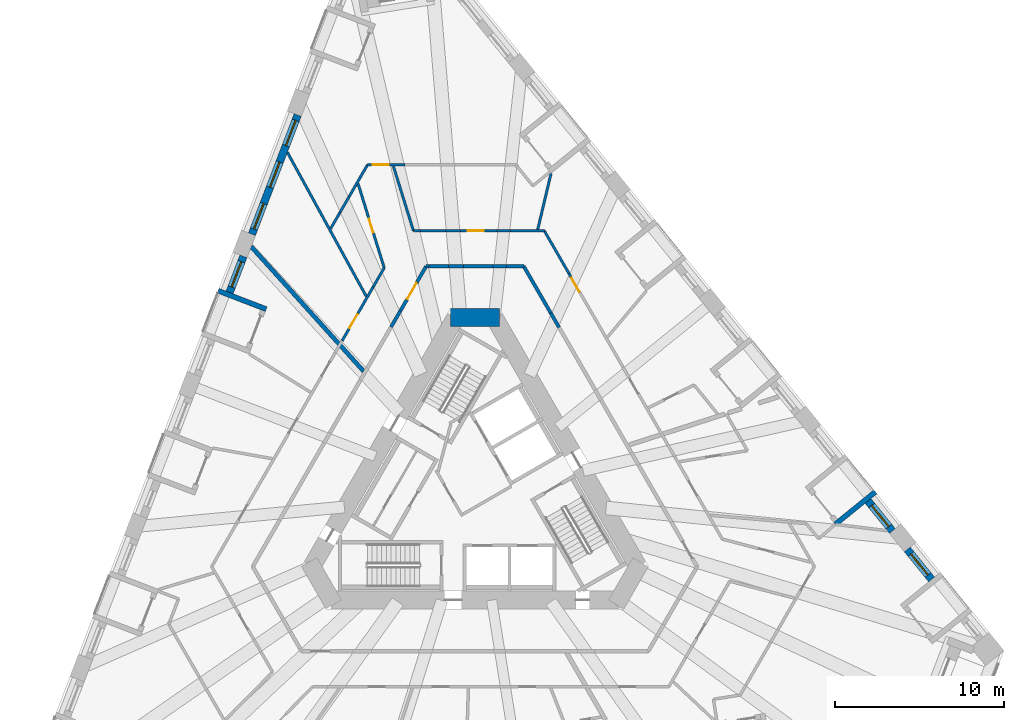
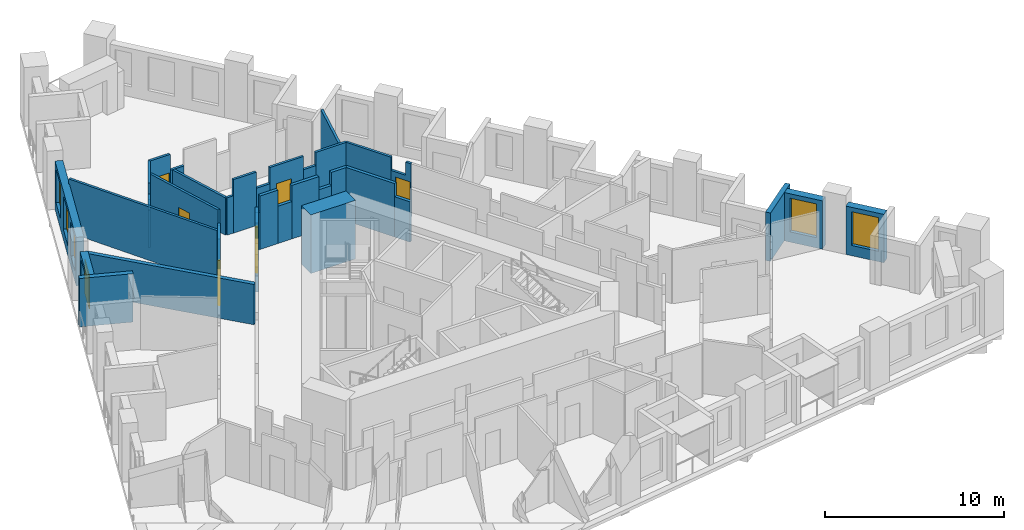
# One storey, part 8 of 14: 38 walls, 6 doors, 6 windows, 12 openings.
"""IFC4 building model written with IfcOpenShell, lengths in metres."""

from ifc_helpers import new_model, si_unit, direction, frame, frame_2d, origin, place, context, subcontext, project, spatial, polyline, rectangle, outline, extrude, material, layer, layer_set, type_object, element, fill, save


model = new_model("IFC4")

# Units and contexts
model_context = context("Model", 3, precision=1e-05, world=origin(), true_north=direction((0.0, 1.0)))
body_context = subcontext(model_context, "Body", "Model", "MODEL_VIEW")
ifc_project = project(units=[si_unit("LENGTHUNIT", "METRE"), si_unit("AREAUNIT", "SQUARE_METRE"), si_unit("VOLUMEUNIT", "CUBIC_METRE"), si_unit("PLANEANGLEUNIT", "RADIAN"), si_unit("MASSUNIT", "GRAM", prefix="KILO")], contexts=[model_context])

# Site, building, storey
site_placement = place(None, origin())
site = spatial("IfcSite", under=ifc_project, at=site_placement, CompositionType="ELEMENT")
building_placement = place(site_placement, origin())
building = spatial("IfcBuilding", under=site, at=building_placement, Name="Tramontana Tower", CompositionType="ELEMENT")
storey_placement = place(building_placement, frame((0.0, 0.0, 75.199951171875)))
storey = spatial("IfcBuildingStorey", under=building, at=storey_placement, Name="L16", CompositionType="ELEMENT", Elevation=75.199951171875)

# Walls
ifc_material_1 = material(Name="Concrete 70 MPa", Category="concrete")
ifc_layer_1 = layer(ifc_material_1, 1.050048828125)
ifc_layer_set_1 = layer_set([ifc_layer_1], Name="Core wall 1050 70 MPa")
wall_type_1 = type_object("IfcWallType", Name="Core wall 1050 70 MPa", PredefinedType="SHEAR", material=ifc_layer_set_1)
wall_1_placement = place(storey_placement, frame((1.443359375, 10.47509765625, 0.0), z_axis=(0.0, 0.0, 1.0), x_axis=(-1.0, 0.0, 0.0)))
element("IfcWall", 1, at=wall_1_placement, inside=storey, type_object=wall_type_1, Name="Core wall C0 L16", PredefinedType="SHEAR", context=body_context, shape_type="SweptSolid", body=[
    extrude(rectangle(XDim=2.88671875, YDim=1.050048828125, at=frame_2d((1.443359375, 0.0))), origin(), (0.0, 0.0, 1.0), 4.0),
])
ifc_material_2 = material(Name="Blockwork", Category="masonry")
ifc_layer_2 = layer(ifc_material_2, 0.199951171875)
ifc_layer_set_2 = layer_set([ifc_layer_2], Name="ENTRY WALL 200")
wall_type_2 = type_object("IfcWallType", Name="ENTRY WALL 200", PredefinedType="SOLIDWALL", material=ifc_layer_set_2)
wall_2_placement = place(storey_placement, frame((2.88671875, 13.5, 0.0), z_axis=(0.0, 0.0, 1.0), x_axis=(0.50003154259, -0.866007191896, 0.0)))
element("IfcWall", 2, at=wall_2_placement, inside=storey, type_object=wall_type_2, Name="Wall v12-ew0-0", PredefinedType="SOLIDWALL", context=body_context, shape_type="SweptSolid", body=[
    extrude(rectangle(XDim=3.190673828125, YDim=0.199951171875, at=frame_2d((1.59521484375, 0.0))), origin(), (0.0, 0.0, 1.0), 3.650146484375),
])
wall_3_placement = place(storey_placement, frame((4.482177734375, 10.73681640625, 0.0), z_axis=(0.0, 0.0, 1.0), x_axis=(0.499966601515, -0.86604468555, 0.0)))
element("IfcWall", 3, at=wall_3_placement, inside=storey, type_object=wall_type_2, Name="Wall v12-ew0-1", PredefinedType="SOLIDWALL", context=body_context, shape_type="SweptSolid", body=[
    extrude(rectangle(XDim=0.98095703125, YDim=0.199951171875, at=frame_2d((0.490478515625, 0.0))), origin(), (0.0, 0.0, 1.0), 2.75),
])
wall_4_placement = place(storey_placement, frame((-4.95751953125, 9.913330078125, 0.0), z_axis=(0.0, 0.0, 1.0), x_axis=(0.499951133605, 0.866053614973, 0.0)))
element("IfcWall", 4, at=wall_4_placement, inside=storey, type_object=wall_type_2, Name="Wall v12-ew4-7", PredefinedType="SOLIDWALL", context=body_context, shape_type="SweptSolid", body=[
    extrude(rectangle(XDim=1.10888671875, YDim=0.199951171875, at=frame_2d((0.554443359375, 0.0))), origin(), (0.0, 0.0, 1.0), 2.550048828125),
])

# Wall, opening, door
wall_5_placement = place(storey_placement, frame((-4.403076171875, 10.873779296875, 0.0), z_axis=(0.0, 0.0, 1.0), x_axis=(0.500059920742, 0.865990805764, 0.0)))
wall_5 = element("IfcWall", 5, at=wall_5_placement, inside=storey, type_object=wall_type_2, Name="Wall v12-ew4-8", PredefinedType="SOLIDWALL", context=body_context, shape_type="SweptSolid", body=[
    extrude(rectangle(XDim=1.962158203125, YDim=0.199951171875, at=frame_2d((0.98095703125, 0.0))), origin(), (0.0, 0.0, 1.0), 3.650146484375),
])
opening_1_placement = place(wall_5_placement, frame((0.789306640625, 0.0, 0.0)))
opening_1 = element("IfcOpeningElement", 6, at=opening_1_placement, cuts=wall_5, Name="Opening B1C-24", PredefinedType="OPENING", context=body_context, shape_type="SweptSolid", body=[
    extrude(rectangle(XDim=1.10009765625, YDim=2.39990234375, at=frame_2d((0.550048828125, 1.199951171875))), frame((0.0, 0.10986328125, 0.0), z_axis=(0.0, -1.0, 0.0), x_axis=(1.0, 0.0, 0.0)), (0.0, 0.0, 1.0), 0.219970703125),
])
ifc_material_3 = material(Name="Painted timber", Category="wood")
door_type_1 = type_object("IfcDoorType", Name="DOOR ENTRY 1100", OperationType="SINGLE_SWING_LEFT", PredefinedType="DOOR", material=ifc_material_3)
door_1_placement = place(opening_1_placement, origin())
door_1 = element("IfcDoor", 7, at=door_1_placement, inside=storey, type_object=door_type_1, Name="Door B1C-24", OperationType="SINGLE_SWING_RIGHT", OverallHeight=2.39990234375, OverallWidth=1.10009765625, PredefinedType="DOOR", context=body_context, shape_type="SweptSolid", body=[
    extrude(rectangle(XDim=1.10009765625, YDim=2.39990234375, at=frame_2d((0.550048828125, 1.199951171875))), frame((0.0, 0.02490234375, 0.0), z_axis=(0.0, -1.0, 0.0), x_axis=(1.0, 0.0, 0.0)), (0.0, 0.0, 1.0), 0.050048828125),
])
fill(opening_1, door_1)

# Walls
wall_6_placement = place(storey_placement, frame((-3.421875, 12.572998046875, 0.0), z_axis=(0.0, 0.0, 1.0), x_axis=(0.49996596245, 0.866045054481, 0.0)))
element("IfcWall", 8, at=wall_6_placement, inside=storey, type_object=wall_type_2, Name="Wall v12-ew4-9", PredefinedType="SOLIDWALL", context=body_context, shape_type="SweptSolid", body=[
    extrude(rectangle(XDim=1.0703125, YDim=0.199951171875, at=frame_2d((0.53515625, 0.0))), origin(), (0.0, 0.0, 1.0), 2.550048828125),
])
wall_7_placement = place(storey_placement, frame((-2.88671875, 13.5, 0.0), z_axis=(0.0, 0.0, 1.0), x_axis=(1.0, 0.0, 0.0)))
element("IfcWall", 9, at=wall_7_placement, inside=storey, type_object=wall_type_2, Name="Wall v12-ew5-0", PredefinedType="SOLIDWALL", context=body_context, shape_type="SweptSolid", body=[
    extrude(rectangle(XDim=0.171142578125, YDim=0.199951171875, at=frame_2d((0.08544921875, 0.0))), origin(), (0.0, 0.0, 1.0), 2.550048828125),
])
wall_8_placement = place(storey_placement, frame((-2.715576171875, 13.5, 0.0), z_axis=(0.0, 0.0, 1.0), x_axis=(1.0, 0.0, 0.0)))
element("IfcWall", 10, at=wall_8_placement, inside=storey, type_object=wall_type_2, Name="Wall v12-ew5-1", PredefinedType="SOLIDWALL", context=body_context, shape_type="SweptSolid", body=[
    extrude(rectangle(XDim=1.141357421875, YDim=0.199951171875, at=frame_2d((0.57080078125, 0.0))), origin(), (0.0, 0.0, 1.0), 3.650146484375),
])
wall_9_placement = place(storey_placement, frame((-1.57421875, 13.5, 0.0), z_axis=(0.0, 0.0, 1.0), x_axis=(1.0, 0.0, 0.0)))
element("IfcWall", 11, at=wall_9_placement, inside=storey, type_object=wall_type_2, Name="Wall v12-ew5-2", PredefinedType="SOLIDWALL", context=body_context, shape_type="SweptSolid", body=[
    extrude(rectangle(XDim=0.903076171875, YDim=0.199951171875, at=frame_2d((0.45166015625, 0.0))), origin(), (0.0, 0.0, 1.0), 2.550048828125),
])
wall_10_placement = place(storey_placement, frame((-0.671142578125, 13.5, 0.0), z_axis=(0.0, 0.0, 1.0), x_axis=(1.0, 0.0, 0.0)))
element("IfcWall", 12, at=wall_10_placement, inside=storey, type_object=wall_type_2, Name="Wall v12-ew5-3", PredefinedType="SOLIDWALL", context=body_context, shape_type="SweptSolid", body=[
    extrude(rectangle(XDim=1.745361328125, YDim=0.199951171875, at=frame_2d((0.87255859375, 0.0))), origin(), (0.0, 0.0, 1.0), 3.650146484375),
])
wall_11_placement = place(storey_placement, frame((1.07421875, 13.5, 0.0), z_axis=(0.0, 0.0, 1.0), x_axis=(1.0, 0.0, 0.0)))
element("IfcWall", 13, at=wall_11_placement, inside=storey, type_object=wall_type_2, Name="Wall v12-ew5-4", PredefinedType="SOLIDWALL", context=body_context, shape_type="SweptSolid", body=[
    extrude(rectangle(XDim=0.804931640625, YDim=0.199951171875, at=frame_2d((0.40234375, 0.0))), origin(), (0.0, 0.0, 1.0), 2.75),
])
wall_12_placement = place(storey_placement, frame((1.879150390625, 13.5, 0.0), z_axis=(0.0, 0.0, 1.0), x_axis=(1.0, 0.0, 0.0)))
element("IfcWall", 14, at=wall_12_placement, inside=storey, type_object=wall_type_2, Name="Wall v12-ew5-5", PredefinedType="SOLIDWALL", context=body_context, shape_type="SweptSolid", body=[
    extrude(rectangle(XDim=1.007568359375, YDim=0.199951171875, at=frame_2d((0.50390625, 0.0))), origin(), (0.0, 0.0, 1.0), 3.650146484375),
])

# Wall, openings, windows
ifc_material_4 = material(Name="Precast concrete 60 MPa", Category="concrete")
ifc_layer_3 = layer(ifc_material_4, 0.449951171875)
ifc_layer_set_3 = layer_set([ifc_layer_3], Name="Precast concrete 60 MPa, 450 mm")
wall_type_3 = type_object("IfcWallType", Name="EW1 Stone-faced precast wall 450", PredefinedType="SOLIDWALL", material=ifc_layer_set_3)
wall_13_placement = place(storey_placement, frame((-10.47802734375, 22.443603515625, 0.0), z_axis=(0.0, 0.0, 1.0), x_axis=(-0.358339674384, -0.933591279823, 0.0)))
wall_13 = element("IfcWall", 15, at=wall_13_placement, inside=storey, type_object=wall_type_3, Name="External wall L16 face 0 bay 2", PredefinedType="SOLIDWALL", context=body_context, shape_type="SweptSolid", body=[
    extrude(rectangle(XDim=7.548828125, YDim=0.449951171875, at=frame_2d((3.7744140625, 0.0))), origin(), (0.0, 0.0, 1.0), 3.300048828125),
])
opening_2_placement = place(wall_13_placement, frame((0.341552734375, 0.0, 0.699951171875)))
opening_2 = element("IfcOpeningElement", 16, at=opening_2_placement, cuts=wall_13, Name="Opening M1", PredefinedType="OPENING", context=body_context, shape_type="SweptSolid", body=[
    extrude(rectangle(XDim=1.60009765625, YDim=2.300048828125, at=frame_2d((0.800048828125, 1.14990234375))), frame((0.0, 0.23486328125, 0.0), z_axis=(0.0, -1.0, 0.0), x_axis=(1.0, 0.0, 0.0)), (0.0, 0.0, 1.0), 0.469970703125),
])
opening_3_placement = place(wall_13_placement, frame((2.974365234375, 0.0, 0.699951171875)))
opening_3 = element("IfcOpeningElement", 17, at=opening_3_placement, cuts=wall_13, Name="Opening M1", PredefinedType="OPENING", context=body_context, shape_type="SweptSolid", body=[
    extrude(rectangle(XDim=1.60009765625, YDim=2.300048828125, at=frame_2d((0.800048828125, 1.14990234375))), frame((0.0, 0.23486328125, 0.0), z_axis=(0.0, -1.0, 0.0), x_axis=(1.0, 0.0, 0.0)), (0.0, 0.0, 1.0), 0.469970703125),
])
opening_4_placement = place(wall_13_placement, frame((5.607421875, 0.0, 0.699951171875)))
opening_4 = element("IfcOpeningElement", 18, at=opening_4_placement, cuts=wall_13, Name="Opening M1", PredefinedType="OPENING", context=body_context, shape_type="SweptSolid", body=[
    extrude(rectangle(XDim=1.60009765625, YDim=2.300048828125, at=frame_2d((0.800048828125, 1.14990234375))), frame((0.0, 0.23486328125, 0.0), z_axis=(0.0, -1.0, 0.0), x_axis=(1.0, 0.0, 0.0)), (0.0, 0.0, 1.0), 0.469970703125),
])
ifc_material_5 = material(Name="Aluminum frame, double glazing unit", Category="aluminium")
window_type = type_object("IfcWindowType", Name="M1 Window 1.6 x 2.3", PartitioningType="SINGLE_PANEL", PredefinedType="WINDOW", material=ifc_material_5)
window_1_placement = place(opening_2_placement, origin())
window_1 = element("IfcWindow", 19, at=window_1_placement, inside=storey, type_object=window_type, Name="Window M1 L16 face 0 module 4", OverallHeight=2.300048828125, OverallWidth=1.60009765625, PartitioningType="SINGLE_PANEL", PredefinedType="WINDOW", context=body_context, shape_type="SweptSolid", body=[
    extrude(rectangle(XDim=1.60009765625, YDim=2.300048828125, at=frame_2d((0.800048828125, 1.14990234375))), frame((0.0, 0.030029296875, 0.0), z_axis=(0.0, -1.0, 0.0), x_axis=(1.0, 0.0, 0.0)), (0.0, 0.0, 1.0), 0.06005859375),
])
fill(opening_2, window_1)
window_2_placement = place(opening_3_placement, origin())
window_2 = element("IfcWindow", 20, at=window_2_placement, inside=storey, type_object=window_type, Name="Window M1 L16 face 0 module 5", OverallHeight=2.300048828125, OverallWidth=1.60009765625, PartitioningType="SINGLE_PANEL", PredefinedType="WINDOW", context=body_context, shape_type="SweptSolid", body=[
    extrude(rectangle(XDim=1.60009765625, YDim=2.300048828125, at=frame_2d((0.800048828125, 1.14990234375))), frame((0.0, 0.030029296875, 0.0), z_axis=(0.0, -1.0, 0.0), x_axis=(1.0, 0.0, 0.0)), (0.0, 0.0, 1.0), 0.06005859375),
])
fill(opening_3, window_2)
window_3_placement = place(opening_4_placement, origin())
window_3 = element("IfcWindow", 21, at=window_3_placement, inside=storey, type_object=window_type, Name="Window M1 L16 face 0 module 6", OverallHeight=2.300048828125, OverallWidth=1.60009765625, PartitioningType="SINGLE_PANEL", PredefinedType="WINDOW", context=body_context, shape_type="SweptSolid", body=[
    extrude(rectangle(XDim=1.60009765625, YDim=2.300048828125, at=frame_2d((0.800048828125, 1.14990234375))), frame((0.0, 0.030029296875, 0.0), z_axis=(0.0, -1.0, 0.0), x_axis=(1.0, 0.0, 0.0)), (0.0, 0.0, 1.0), 0.06005859375),
])
fill(opening_4, window_3)

# Wall, opening, window
wall_14_placement = place(storey_placement, frame((-13.684814453125, 14.0888671875, 0.0), z_axis=(0.0, 0.0, 1.0), x_axis=(-0.35844875217, -0.933549405264, 0.0)))
wall_14 = element("IfcWall", 22, at=wall_14_placement, inside=storey, type_object=wall_type_3, Name="External wall L16 face 0 bay 3", PredefinedType="SOLIDWALL", context=body_context, shape_type="SweptSolid", body=[
    extrude(rectangle(XDim=2.282958984375, YDim=0.449951171875, at=frame_2d((1.1416015625, 0.0))), origin(), (0.0, 0.0, 1.0), 3.300048828125),
])
opening_5_placement = place(wall_14_placement, frame((0.341552734375, 0.0, 0.699951171875)))
opening_5 = element("IfcOpeningElement", 23, at=opening_5_placement, cuts=wall_14, Name="Opening M1", PredefinedType="OPENING", context=body_context, shape_type="SweptSolid", body=[
    extrude(rectangle(XDim=1.60009765625, YDim=2.300048828125, at=frame_2d((0.800048828125, 1.14990234375))), frame((0.0, 0.23486328125, 0.0), z_axis=(0.0, -1.0, 0.0), x_axis=(1.0, 0.0, 0.0)), (0.0, 0.0, 1.0), 0.469970703125),
])
window_4_placement = place(opening_5_placement, origin())
window_4 = element("IfcWindow", 24, at=window_4_placement, inside=storey, type_object=window_type, Name="Window M1 L16 face 0 module 7", OverallHeight=2.300048828125, OverallWidth=1.60009765625, PartitioningType="SINGLE_PANEL", PredefinedType="WINDOW", context=body_context, shape_type="SweptSolid", body=[
    extrude(rectangle(XDim=1.60009765625, YDim=2.300048828125, at=frame_2d((0.800048828125, 1.14990234375))), frame((0.0, 0.030029296875, 0.0), z_axis=(0.0, -1.0, 0.0), x_axis=(1.0, 0.0, 0.0)), (0.0, 0.0, 1.0), 0.06005859375),
])
fill(opening_5, window_4)

wall_15_placement = place(storey_placement, frame((26.993408203125, -5.009765625, 0.0), z_axis=(0.0, 0.0, 1.0), x_axis=(-0.629339730135, 0.777130300576, 0.0)))
wall_15 = element("IfcWall", 25, at=wall_15_placement, inside=storey, type_object=wall_type_3, Name="External wall L16 face 2 bay 1", PredefinedType="SOLIDWALL", context=body_context, shape_type="SweptSolid", body=[
    extrude(rectangle(XDim=2.282958984375, YDim=0.449951171875, at=frame_2d((1.1416015625, 0.0))), origin(), (0.0, 0.0, 1.0), 3.300048828125),
])
opening_6_placement = place(wall_15_placement, frame((0.341552734375, 0.0, 0.699951171875)))
opening_6 = element("IfcOpeningElement", 26, at=opening_6_placement, cuts=wall_15, Name="Opening M1", PredefinedType="OPENING", context=body_context, shape_type="SweptSolid", body=[
    extrude(rectangle(XDim=1.60009765625, YDim=2.300048828125, at=frame_2d((0.800048828125, 1.14990234375))), frame((0.0, 0.23486328125, 0.0), z_axis=(0.0, -1.0, 0.0), x_axis=(1.0, 0.0, 0.0)), (0.0, 0.0, 1.0), 0.469970703125),
])
window_5_placement = place(opening_6_placement, origin())
window_5 = element("IfcWindow", 27, at=window_5_placement, inside=storey, type_object=window_type, Name="Window M1 L16 face 2 module 3", OverallHeight=2.300048828125, OverallWidth=1.60009765625, PartitioningType="SINGLE_PANEL", PredefinedType="WINDOW", context=body_context, shape_type="SweptSolid", body=[
    extrude(rectangle(XDim=1.60009765625, YDim=2.300048828125, at=frame_2d((0.800048828125, 1.14990234375))), frame((0.0, 0.030029296875, 0.0), z_axis=(0.0, -1.0, 0.0), x_axis=(1.0, 0.0, 0.0)), (0.0, 0.0, 1.0), 0.06005859375),
])
fill(opening_6, window_5)

wall_16_placement = place(storey_placement, frame((24.675537109375, -2.147705078125, 0.0), z_axis=(0.0, 0.0, 1.0), x_axis=(-0.629287431131, 0.777172650716, 0.0)))
wall_16 = element("IfcWall", 28, at=wall_16_placement, inside=storey, type_object=wall_type_3, Name="External wall L16 face 2 bay 2", PredefinedType="SOLIDWALL", context=body_context, shape_type="SweptSolid", body=[
    extrude(rectangle(XDim=2.283203125, YDim=0.449951171875, at=frame_2d((1.1416015625, 0.0))), origin(), (0.0, 0.0, 1.0), 3.300048828125),
])
opening_7_placement = place(wall_16_placement, frame((0.341552734375, 0.0, 0.699951171875)))
opening_7 = element("IfcOpeningElement", 29, at=opening_7_placement, cuts=wall_16, Name="Opening M1", PredefinedType="OPENING", context=body_context, shape_type="SweptSolid", body=[
    extrude(rectangle(XDim=1.60009765625, YDim=2.300048828125, at=frame_2d((0.800048828125, 1.14990234375))), frame((0.0, 0.23486328125, 0.0), z_axis=(0.0, -1.0, 0.0), x_axis=(1.0, 0.0, 0.0)), (0.0, 0.0, 1.0), 0.469970703125),
])
window_6_placement = place(opening_7_placement, origin())
window_6 = element("IfcWindow", 30, at=window_6_placement, inside=storey, type_object=window_type, Name="Window M1 L16 face 2 module 4", OverallHeight=2.300048828125, OverallWidth=1.60009765625, PartitioningType="SINGLE_PANEL", PredefinedType="WINDOW", context=body_context, shape_type="SweptSolid", body=[
    extrude(rectangle(XDim=1.60009765625, YDim=2.300048828125, at=frame_2d((0.800048828125, 1.14990234375))), frame((0.0, 0.030029296875, 0.0), z_axis=(0.0, -1.0, 0.0), x_axis=(1.0, 0.0, 0.0)), (0.0, 0.0, 1.0), 0.06005859375),
])
fill(opening_7, window_6)

# Walls
ifc_material_6 = material(Name="Precast concrete 60 MPa", Category="concrete")
ifc_layer_4 = layer(ifc_material_6, 0.300048828125)
ifc_layer_set_4 = layer_set([ifc_layer_4], Name="LW1 Stone-faced loggia wall 300")
wall_type_4 = type_object("IfcWallType", Name="LW1 Stone-faced loggia wall 300", PredefinedType="SOLIDWALL", material=ifc_layer_set_4)
wall_17_placement = place(storey_placement, frame((-15.18701171875, 12.0595703125, 0.0), z_axis=(0.0, 0.0, 1.0), x_axis=(0.933580593625, -0.358367514161, 0.0)))
element("IfcWall", 31, at=wall_17_placement, inside=storey, type_object=wall_type_4, Name="Loggia return L16 G1S0.7a", PredefinedType="SOLIDWALL", context=body_context, shape_type="SweptSolid", body=[
    extrude(rectangle(XDim=3.050048828125, YDim=0.300048828125, at=frame_2d((1.52490234375, 0.0))), origin(), (0.0, 0.0, 1.0), 3.300048828125),
])
wall_18_placement = place(storey_placement, frame((23.6689453125, 0.16796875, 0.0), z_axis=(0.0, 0.0, 1.0), x_axis=(-0.777121820661, -0.629350201281, 0.0)))
element("IfcWall", 32, at=wall_18_placement, inside=storey, type_object=wall_type_4, Name="Loggia return L16 G1S2.4a", PredefinedType="SOLIDWALL", context=body_context, shape_type="SweptSolid", body=[
    extrude(rectangle(XDim=3.0498046875, YDim=0.300048828125, at=frame_2d((1.52490234375, 0.0))), origin(), (0.0, 0.0, 1.0), 3.300048828125),
])

# Wall, opening, door
ifc_material_7 = material(Name="Gypsum board partition")
ifc_layer_5 = layer(ifc_material_7, 0.14990234375)
ifc_layer_set_5 = layer_set([ifc_layer_5], Name="PARTITION 150")
wall_type_5 = type_object("IfcWallType", Name="PARTITION 150", PredefinedType="PARTITIONING", material=ifc_layer_set_5)
wall_19_placement = place(storey_placement, frame((-7.85107421875, 9.1015625, 0.0), z_axis=(0.0, 0.0, 1.0), x_axis=(0.500002145574, 0.866024165033, 0.0)))
wall_19 = element("IfcWall", 33, at=wall_19_placement, inside=storey, type_object=wall_type_5, Name="Wall v12-pw03-6", PredefinedType="PARTITIONING", context=body_context, shape_type="SweptSolid", body=[
    extrude(rectangle(XDim=3.67724609375, YDim=0.14990234375, at=frame_2d((1.838623046875, 0.0))), origin(), (0.0, 0.0, 1.0), 3.650146484375),
])
opening_8_placement = place(wall_19_placement, frame((0.85595703125, 0.0, 0.0)))
opening_8 = element("IfcOpeningElement", 34, at=opening_8_placement, cuts=wall_19, Name="Opening B1C-06", PredefinedType="OPENING", context=body_context, shape_type="SweptSolid", body=[
    extrude(rectangle(XDim=0.949951171875, YDim=2.39990234375, at=frame_2d((0.47509765625, 1.199951171875))), frame((0.0, 0.0849609375, 0.0), z_axis=(0.0, -1.0, 0.0), x_axis=(1.0, 0.0, 0.0)), (0.0, 0.0, 1.0), 0.169921875),
])
ifc_material_8 = material(Name="Painted timber", Category="wood")
door_type_2 = type_object("IfcDoorType", Name="DOOR ROOM 950", OperationType="SINGLE_SWING_LEFT", PredefinedType="DOOR", material=ifc_material_8)
door_2_placement = place(opening_8_placement, origin())
door_2 = element("IfcDoor", 35, at=door_2_placement, inside=storey, type_object=door_type_2, Name="Door B1C-06", OperationType="SINGLE_SWING_RIGHT", OverallHeight=2.39990234375, OverallWidth=0.949951171875, PredefinedType="DOOR", context=body_context, shape_type="SweptSolid", body=[
    extrude(rectangle(XDim=0.949951171875, YDim=2.39990234375, at=frame_2d((0.47509765625, 1.199951171875))), frame((0.0, 0.02490234375, 0.0), z_axis=(0.0, -1.0, 0.0), x_axis=(1.0, 0.0, 0.0)), (0.0, 0.0, 1.0), 0.050048828125),
])
fill(opening_8, door_2)

# Walls
wall_20_placement = place(storey_placement, frame((-6.012451171875, 12.2861328125, 0.0), z_axis=(0.0, 0.0, 1.0), x_axis=(0.500096187746, 0.86596986264, 0.0)))
element("IfcWall", 36, at=wall_20_placement, inside=storey, type_object=wall_type_5, Name="Wall v12-pw03-7", PredefinedType="PARTITIONING", context=body_context, shape_type="SweptSolid", body=[
    extrude(rectangle(XDim=1.300537109375, YDim=0.14990234375, at=frame_2d((0.650390625, 0.0))), origin(), (0.0, 0.0, 1.0), 2.550048828125),
])
wall_21_placement = place(storey_placement, frame((-8.53076171875, 15.724365234375, 0.0), z_axis=(0.0, 0.0, 1.0), x_axis=(0.499993928037, 0.866028909405, 0.0)))
element("IfcWall", 37, at=wall_21_placement, inside=storey, type_object=wall_type_5, Name="Wall v12-pw14-0", PredefinedType="PARTITIONING", context=body_context, shape_type="SweptSolid", body=[
    extrude(rectangle(XDim=1.08984375, YDim=0.14990234375, at=frame_2d((0.544921875, 0.0))), origin(), (0.0, 0.0, 1.0), 3.650146484375),
])
wall_22_placement = place(storey_placement, frame((-7.98583984375, 16.668212890625, 0.0), z_axis=(0.0, 0.0, 1.0), x_axis=(0.500107854436, 0.865963125042, 0.0)))
element("IfcWall", 38, at=wall_22_placement, inside=storey, type_object=wall_type_5, Name="Wall v12-pw14-1", PredefinedType="PARTITIONING", context=body_context, shape_type="SweptSolid", body=[
    extrude(rectangle(XDim=1.078369140625, YDim=0.14990234375, at=frame_2d((0.5390625, 0.0))), origin(), (0.0, 0.0, 1.0), 2.550048828125),
])
wall_23_placement = place(storey_placement, frame((-7.446533203125, 17.60205078125, 0.0), z_axis=(0.0, 0.0, 1.0), x_axis=(0.499973180286, 0.8660408876, 0.0)))
element("IfcWall", 39, at=wall_23_placement, inside=storey, type_object=wall_type_5, Name="Wall v12-pw14-2", PredefinedType="PARTITIONING", context=body_context, shape_type="SweptSolid", body=[
    extrude(rectangle(XDim=2.19140625, YDim=0.14990234375, at=frame_2d((1.095703125, 0.0))), origin(), (0.0, 0.0, 1.0), 3.650146484375),
])
wall_24_placement = place(storey_placement, frame((-6.423828125, 11.723388671875, 0.0), z_axis=(0.0, 0.0, 1.0), x_axis=(-0.48054737778, 0.876968766666, 0.0)))
element("IfcWall", 40, at=wall_24_placement, inside=storey, type_object=wall_type_5, Name="Wall v12-pw17", PredefinedType="PARTITIONING", context=body_context, shape_type="SweptSolid", body=[
    extrude(rectangle(XDim=9.70166015625, YDim=0.14990234375, at=frame_2d((4.850830078125, 0.0))), origin(), (0.0, 0.0, 1.0), 3.650146484375),
])

# Wall, opening, door
wall_25_placement = place(storey_placement, frame((-6.350830078125, 19.5, 0.0), z_axis=(0.0, 0.0, 1.0), x_axis=(1.0, 0.0, 0.0)))
wall_25 = element("IfcWall", 41, at=wall_25_placement, inside=storey, type_object=wall_type_5, Name="Wall v12-pw18-0", PredefinedType="PARTITIONING", context=body_context, shape_type="SweptSolid", body=[
    extrude(rectangle(XDim=1.311279296875, YDim=0.14990234375, at=frame_2d((0.65576171875, 0.0))), origin(), (0.0, 0.0, 1.0), 3.650146484375),
])
opening_9_placement = place(wall_25_placement, frame((0.298095703125, 0.0, 0.0)))
opening_9 = element("IfcOpeningElement", 42, at=opening_9_placement, cuts=wall_25, Name="Opening B1C-03", PredefinedType="OPENING", context=body_context, shape_type="SweptSolid", body=[
    extrude(rectangle(XDim=0.949951171875, YDim=2.39990234375, at=frame_2d((0.47509765625, 1.199951171875))), frame((0.0, 0.0849609375, 0.0), z_axis=(0.0, -1.0, 0.0), x_axis=(1.0, 0.0, 0.0)), (0.0, 0.0, 1.0), 0.169921875),
])
door_3_placement = place(opening_9_placement, origin())
door_3 = element("IfcDoor", 43, at=door_3_placement, inside=storey, type_object=door_type_2, Name="Door B1C-03", OperationType="SINGLE_SWING_LEFT", OverallHeight=2.39990234375, OverallWidth=0.949951171875, PredefinedType="DOOR", context=body_context, shape_type="SweptSolid", body=[
    extrude(rectangle(XDim=0.949951171875, YDim=2.39990234375, at=frame_2d((0.47509765625, 1.199951171875))), frame((0.0, 0.02490234375, 0.0), z_axis=(0.0, -1.0, 0.0), x_axis=(1.0, 0.0, 0.0)), (0.0, 0.0, 1.0), 0.050048828125),
])
fill(opening_9, door_3)

# Wall
wall_26_placement = place(storey_placement, frame((-5.03955078125, 19.5, 0.0), z_axis=(0.0, 0.0, 1.0), x_axis=(1.0, 0.0, 0.0)))
element("IfcWall", 44, at=wall_26_placement, inside=storey, type_object=wall_type_5, Name="Wall v12-pw18-1", PredefinedType="PARTITIONING", context=body_context, shape_type="SweptSolid", body=[
    extrude(rectangle(XDim=0.89892578125, YDim=0.14990234375, at=frame_2d((0.449462890625, 0.0))), origin(), (0.0, 0.0, 1.0), 2.550048828125),
])

# Wall, opening, door
wall_27_placement = place(storey_placement, frame((-5.3642578125, 13.408935546875, 0.0), z_axis=(0.0, 0.0, 1.0), x_axis=(-0.296294566298, 0.95509660767, 0.0)))
wall_27 = element("IfcWall", 45, at=wall_27_placement, inside=storey, type_object=wall_type_5, Name="Wall v12-pw19", PredefinedType="PARTITIONING", context=body_context, shape_type="SweptSolid", body=[
    extrude(rectangle(XDim=5.2099609375, YDim=0.14990234375, at=frame_2d((2.60498046875, 0.0))), origin(), (0.0, 0.0, 1.0), 3.650146484375),
])
opening_10_placement = place(wall_27_placement, frame((2.179931640625, 0.0, 0.0)))
opening_10 = element("IfcOpeningElement", 46, at=opening_10_placement, cuts=wall_27, Name="Opening B1C-02", PredefinedType="OPENING", context=body_context, shape_type="SweptSolid", body=[
    extrude(rectangle(XDim=0.85009765625, YDim=2.39990234375, at=frame_2d((0.425048828125, 1.199951171875))), frame((0.0, 0.0849609375, 0.0), z_axis=(0.0, -1.0, 0.0), x_axis=(1.0, 0.0, 0.0)), (0.0, 0.0, 1.0), 0.169921875),
])
ifc_material_9 = material(Name="Painted timber", Category="wood")
door_type_3 = type_object("IfcDoorType", Name="DOOR BATH 850", OperationType="SINGLE_SWING_LEFT", PredefinedType="DOOR", material=ifc_material_9)
door_4_placement = place(opening_10_placement, origin())
door_4 = element("IfcDoor", 47, at=door_4_placement, inside=storey, type_object=door_type_3, Name="Door B1C-02", OperationType="SINGLE_SWING_RIGHT", OverallHeight=2.39990234375, OverallWidth=0.85009765625, PredefinedType="DOOR", context=body_context, shape_type="SweptSolid", body=[
    extrude(rectangle(XDim=0.85009765625, YDim=2.39990234375, at=frame_2d((0.425048828125, 1.199951171875))), frame((0.0, 0.02490234375, 0.0), z_axis=(0.0, -1.0, 0.0), x_axis=(1.0, 0.0, 0.0)), (0.0, 0.0, 1.0), 0.050048828125),
])
fill(opening_10, door_4)

# Walls
wall_28_placement = place(storey_placement, frame((-4.822509765625, 19.425048828125, 0.0), z_axis=(0.0, 0.0, 1.0), x_axis=(0.296334021044, -0.955084366939, 0.0)))
element("IfcWall", 48, at=wall_28_placement, inside=storey, type_object=wall_type_5, Name="Wall v12-pw20-0", PredefinedType="PARTITIONING", context=body_context, shape_type="SweptSolid", body=[
    extrude(rectangle(XDim=4.0048828125, YDim=0.14990234375, at=frame_2d((2.00244140625, 0.0))), origin(), (0.0, 0.0, 1.0), 2.550048828125),
])
wall_29_placement = place(storey_placement, frame((-3.6357421875, 15.60009765625, 0.0), z_axis=(0.0, 0.0, 1.0), x_axis=(1.0, 0.0, 0.0)))
element("IfcWall", 49, at=wall_29_placement, inside=storey, type_object=wall_type_5, Name="Wall v12-pw22-0", PredefinedType="PARTITIONING", context=body_context, shape_type="SweptSolid", body=[
    extrude(rectangle(XDim=0.4130859375, YDim=0.14990234375, at=frame_2d((0.20654296875, 0.0))), origin(), (0.0, 0.0, 1.0), 2.550048828125),
])
wall_30_placement = place(storey_placement, frame((-3.22265625, 15.60009765625, 0.0), z_axis=(0.0, 0.0, 1.0), x_axis=(1.0, 0.0, 0.0)))
element("IfcWall", 50, at=wall_30_placement, inside=storey, type_object=wall_type_5, Name="Wall v12-pw22-1", PredefinedType="PARTITIONING", context=body_context, shape_type="SweptSolid", body=[
    extrude(rectangle(XDim=1.486328125, YDim=0.14990234375, at=frame_2d((0.7431640625, 0.0))), origin(), (0.0, 0.0, 1.0), 3.650146484375),
])
wall_31_placement = place(storey_placement, frame((-1.736328125, 15.60009765625, 0.0), z_axis=(0.0, 0.0, 1.0), x_axis=(1.0, 0.0, 0.0)))
element("IfcWall", 51, at=wall_31_placement, inside=storey, type_object=wall_type_5, Name="Wall v12-pw22-2", PredefinedType="PARTITIONING", context=body_context, shape_type="SweptSolid", body=[
    extrude(rectangle(XDim=0.8779296875, YDim=0.14990234375, at=frame_2d((0.43896484375, 0.0))), origin(), (0.0, 0.0, 1.0), 2.550048828125),
])

# Wall, opening, door
wall_32_placement = place(storey_placement, frame((-0.8583984375, 15.60009765625, 0.0), z_axis=(0.0, 0.0, 1.0), x_axis=(1.0, 0.0, 0.0)))
wall_32 = element("IfcWall", 52, at=wall_32_placement, inside=storey, type_object=wall_type_5, Name="Wall v12-pw22-3", PredefinedType="PARTITIONING", context=body_context, shape_type="SweptSolid", body=[
    extrude(rectangle(XDim=2.175048828125, YDim=0.14990234375, at=frame_2d((1.08740234375, 0.0))), origin(), (0.0, 0.0, 1.0), 3.650146484375),
])
opening_11_placement = place(wall_32_placement, frame((0.433837890625, 0.0, 0.0)))
opening_11 = element("IfcOpeningElement", 53, at=opening_11_placement, cuts=wall_32, Name="Opening B1C-01", PredefinedType="OPENING", context=body_context, shape_type="SweptSolid", body=[
    extrude(rectangle(XDim=0.949951171875, YDim=2.39990234375, at=frame_2d((0.47509765625, 1.199951171875))), frame((0.0, 0.0849609375, 0.0), z_axis=(0.0, -1.0, 0.0), x_axis=(1.0, 0.0, 0.0)), (0.0, 0.0, 1.0), 0.169921875),
])
door_5_placement = place(opening_11_placement, origin())
door_5 = element("IfcDoor", 54, at=door_5_placement, inside=storey, type_object=door_type_2, Name="Door B1C-01", OperationType="SINGLE_SWING_LEFT", OverallHeight=2.39990234375, OverallWidth=0.949951171875, PredefinedType="DOOR", context=body_context, shape_type="SweptSolid", body=[
    extrude(rectangle(XDim=0.949951171875, YDim=2.39990234375, at=frame_2d((0.47509765625, 1.199951171875))), frame((0.0, 0.02490234375, 0.0), z_axis=(0.0, -1.0, 0.0), x_axis=(1.0, 0.0, 0.0)), (0.0, 0.0, 1.0), 0.050048828125),
])
fill(opening_11, door_5)

# Walls
wall_33_placement = place(storey_placement, frame((1.316650390625, 15.60009765625, 0.0), z_axis=(0.0, 0.0, 1.0), x_axis=(1.0, 0.0, 0.0)))
element("IfcWall", 55, at=wall_33_placement, inside=storey, type_object=wall_type_5, Name="Wall v12-pw22-4", PredefinedType="PARTITIONING", context=body_context, shape_type="SweptSolid", body=[
    extrude(rectangle(XDim=0.779541015625, YDim=0.14990234375, at=frame_2d((0.3896484375, 0.0))), origin(), (0.0, 0.0, 1.0), 2.75),
])
wall_34_placement = place(storey_placement, frame((2.09619140625, 15.60009765625, 0.0), z_axis=(0.0, 0.0, 1.0), x_axis=(1.0, 0.0, 0.0)))
element("IfcWall", 56, at=wall_34_placement, inside=storey, type_object=wall_type_5, Name="Wall v12-pw22-5", PredefinedType="PARTITIONING", context=body_context, shape_type="SweptSolid", body=[
    extrude(rectangle(XDim=2.0029296875, YDim=0.14990234375, at=frame_2d((1.00146484375, 0.0))), origin(), (0.0, 0.0, 1.0), 3.650146484375),
])
wall_35_placement = place(storey_placement, frame((4.09912109375, 15.60009765625, 0.0), z_axis=(0.0, 0.0, 1.0), x_axis=(0.500013600279, -0.866017551517, 0.0)))
element("IfcWall", 57, at=wall_35_placement, inside=storey, type_object=wall_type_5, Name="Wall v12-pw26-0", PredefinedType="PARTITIONING", context=body_context, shape_type="SweptSolid", body=[
    extrude(rectangle(XDim=2.927734375, YDim=0.14990234375, at=frame_2d((1.4638671875, 0.0))), origin(), (0.0, 0.0, 1.0), 3.650146484375),
])

# Wall, opening, door
wall_36_placement = place(storey_placement, frame((5.56298828125, 13.064697265625, 0.0), z_axis=(0.0, 0.0, 1.0), x_axis=(0.499940610781, -0.866059689451, 0.0)))
wall_36 = element("IfcWall", 58, at=wall_36_placement, inside=storey, type_object=wall_type_5, Name="Wall v12-pw26-1", PredefinedType="PARTITIONING", context=body_context, shape_type="SweptSolid", body=[
    extrude(outline(polyline([(0.0, 0.0), (1.291748046875, 0.0), (1.29150390625, 3.650146484375), (0.950439453125, 3.650146484375), (0.950439453125, 2.75), (0.0, 2.75), (0.0, 0.0)])), frame((0.0, 0.074951171875, 0.0), z_axis=(0.0, -1.0, 0.0), x_axis=(1.0, 0.0, 0.0)), (0.0, 0.0, 1.0), 0.14990234375),
])
opening_12_placement = place(wall_36_placement, frame((0.29150390625, 0.0, 0.0)))
opening_12 = element("IfcOpeningElement", 59, at=opening_12_placement, cuts=wall_36, Name="Opening B1C-04", PredefinedType="OPENING", context=body_context, shape_type="SweptSolid", body=[
    extrude(rectangle(XDim=0.949951171875, YDim=2.39990234375, at=frame_2d((0.47509765625, 1.199951171875))), frame((0.0, 0.0849609375, 0.0), z_axis=(0.0, -1.0, 0.0), x_axis=(1.0, 0.0, 0.0)), (0.0, 0.0, 1.0), 0.169921875),
])
door_6_placement = place(opening_12_placement, origin())
door_6 = element("IfcDoor", 60, at=door_6_placement, inside=storey, type_object=door_type_2, Name="Door B1C-04", OperationType="SINGLE_SWING_RIGHT", OverallHeight=2.39990234375, OverallWidth=0.949951171875, PredefinedType="DOOR", context=body_context, shape_type="SweptSolid", body=[
    extrude(rectangle(XDim=0.949951171875, YDim=2.39990234375, at=frame_2d((0.47509765625, 1.199951171875))), frame((0.0, 0.02490234375, 0.0), z_axis=(0.0, -1.0, 0.0), x_axis=(1.0, 0.0, 0.0)), (0.0, 0.0, 1.0), 0.050048828125),
])
fill(opening_12, door_6)

# Walls
wall_37_placement = place(storey_placement, frame((4.497802734375, 18.995849609375, 0.0), z_axis=(0.0, 0.0, 1.0), x_axis=(-0.230362987807, -0.973104770232, 0.0)))
element("IfcWall", 61, at=wall_37_placement, inside=storey, type_object=wall_type_5, Name="Wall v12-pw27", PredefinedType="PARTITIONING", context=body_context, shape_type="SweptSolid", body=[
    extrude(rectangle(XDim=3.41259765625, YDim=0.14990234375, at=frame_2d((1.706298828125, 0.0))), origin(), (0.0, 0.0, 1.0), 3.650146484375),
])
ifc_material_10 = material(Name="Blockwork", Category="masonry")
ifc_layer_6 = layer(ifc_material_10, 0.25)
ifc_layer_set_6 = layer_set([ifc_layer_6], Name="PARTY WALL 250")
wall_type_6 = type_object("IfcWallType", Name="PARTY WALL 250", PredefinedType="SOLIDWALL", material=ifc_layer_set_6)
wall_38_placement = place(storey_placement, frame((-6.582763671875, 7.29833984375, 0.0), z_axis=(0.0, 0.0, 1.0), x_axis=(-0.669754661713, 0.742582448698, 0.0)))
element("IfcWall", 62, at=wall_38_placement, inside=storey, type_object=wall_type_6, Name="Wall v12-pw16-0", PredefinedType="SOLIDWALL", context=body_context, shape_type="SweptSolid", body=[
    extrude(rectangle(XDim=9.916015625, YDim=0.25, at=frame_2d((4.9580078125, 0.0))), origin(), (0.0, 0.0, 1.0), 2.75),
])

save(model, "model.ifc")
